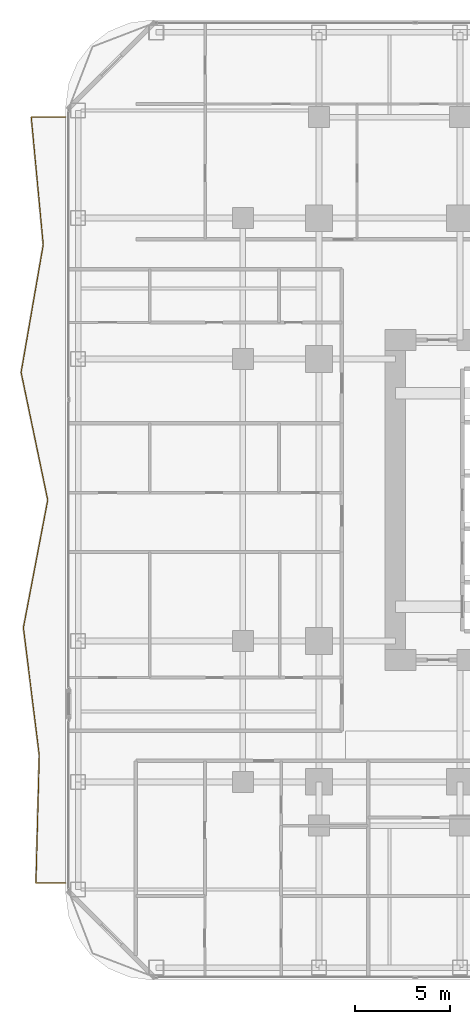
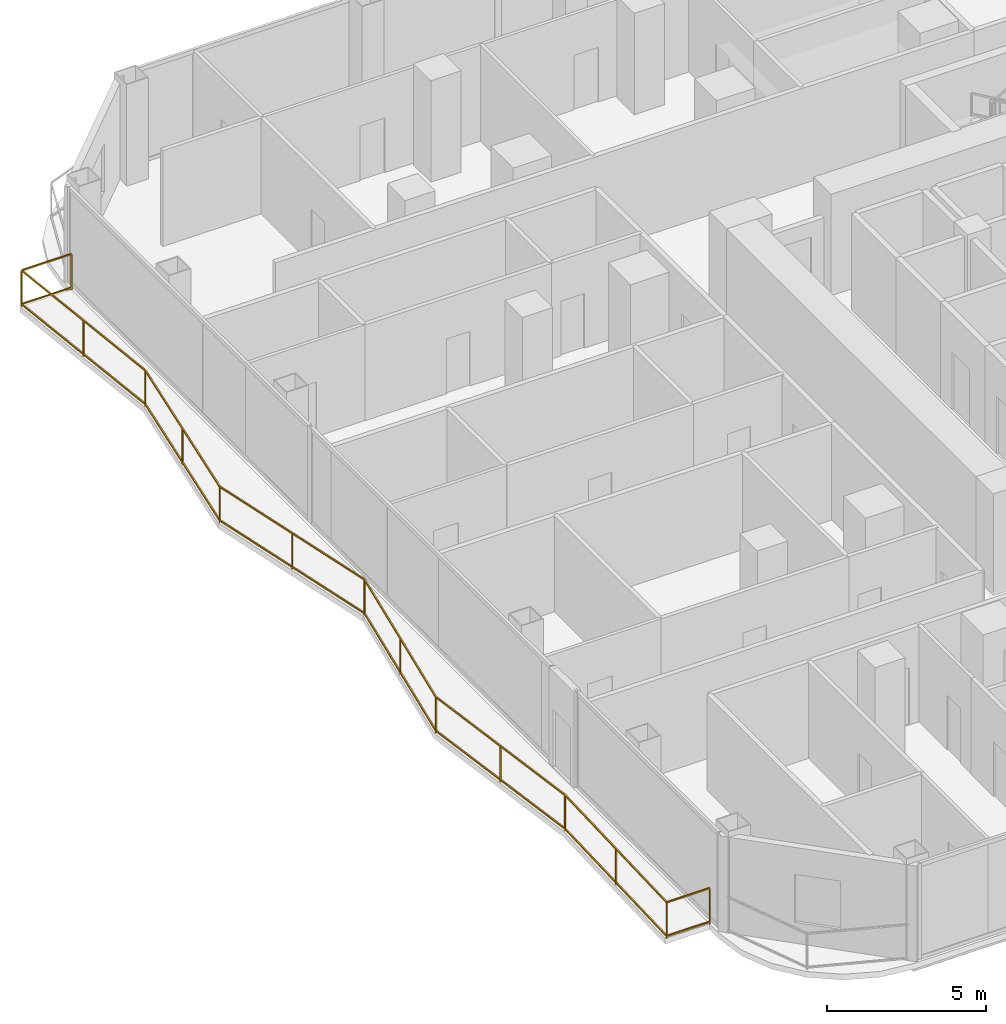
# One storey, part 26 of 29: 1 railing.
"""IFC4 building model written with IfcOpenShell, lengths in metres."""

from ifc_helpers import new_model, si_unit, direction, frame, origin, origin_2d, place, context, subcontext, project, spatial, rectangle, extrude, material, type_object, element, save


model = new_model("IFC4")

# Units and contexts
model_context = context("Model", 3, precision=1e-05, world=origin(), true_north=direction((0.0, 1.0)))
body_context = subcontext(model_context, "Body", "Model", "MODEL_VIEW")
ifc_project = project(units=[si_unit("LENGTHUNIT", "METRE"), si_unit("AREAUNIT", "SQUARE_METRE"), si_unit("VOLUMEUNIT", "CUBIC_METRE"), si_unit("PLANEANGLEUNIT", "RADIAN"), si_unit("MASSUNIT", "GRAM", prefix="KILO")], contexts=[model_context])

# Site, building, storey
site_placement = place(None, origin())
site = spatial("IfcSite", under=ifc_project, at=site_placement, CompositionType="ELEMENT")
building_placement = place(site_placement, origin())
building = spatial("IfcBuilding", under=site, at=building_placement, Name="Khorvyn Point Tower", CompositionType="ELEMENT")
storey_placement = place(building_placement, frame((0.0, 0.0, 61.800048828125)))
storey = spatial("IfcBuildingStorey", under=building, at=storey_placement, Name="L16", CompositionType="ELEMENT", Elevation=61.800048828125)

# Railing
ifc_material = material(Name="Anodised aluminium 6063-T6 and laminated safety glass", Category="aluminium")
railing_type = type_object("IfcRailingType", Name="Laminated Glass and Aluminium Balcony Guardrail 1400", PredefinedType="BALUSTRADE", material=ifc_material)
railing_placement = place(storey_placement, frame((-28.10009765625, 20.10009765625, 0.0)))
element("IfcRailing", 1, at=railing_placement, inside=storey, type_object=railing_type, Name="L16 West Balcony Guardrail", PredefinedType="BALUSTRADE", context=body_context, shape_type="SweptSolid", body=[
    extrude(rectangle(XDim=0.048095703125, YDim=0.048095703125, at=origin_2d()), frame((0.0, 0.0, 1.3759765625), z_axis=(-1.0, 0.0, 0.0), x_axis=(0.0, -1.0, 0.0)), (0.0, 0.0, 1.0), 1.80810546875),
    extrude(rectangle(XDim=0.048095703125, YDim=0.048095703125, at=origin_2d()), frame((0.0, 0.0, 0.080078125), z_axis=(-1.0, 0.0, 0.0), x_axis=(0.0, -1.0, 0.0)), (0.0, 0.0, 1.0), 1.80810546875),
    extrude(rectangle(XDim=0.048095703125, YDim=0.048095703125, at=origin_2d()), frame((-1.80810546875, 0.0, 1.3759765625), z_axis=(0.093417128562, -0.995627058738, 0.0), x_axis=(0.995627058738, 0.093417128562, 0.0)), (0.0, 0.0, 1.0), 6.729736328125),
    extrude(rectangle(XDim=0.048095703125, YDim=0.048095703125, at=origin_2d()), frame((-1.80810546875, 0.0, 0.080078125), z_axis=(0.093417128562, -0.995627058738, 0.0), x_axis=(0.995627058738, 0.093417128562, 0.0)), (0.0, 0.0, 1.0), 6.729736328125),
    extrude(rectangle(XDim=0.048095703125, YDim=0.048095703125, at=origin_2d()), frame((-1.179443359375, -6.7001953125, 1.3759765625), z_axis=(-0.170794159587, -0.985306731455, 0.0), x_axis=(0.985306731455, -0.170794159587, 0.0)), (0.0, 0.0, 1.0), 6.7998046875),
    extrude(rectangle(XDim=0.048095703125, YDim=0.048095703125, at=origin_2d()), frame((-1.179443359375, -6.7001953125, 0.080078125), z_axis=(-0.170794159587, -0.985306731455, 0.0), x_axis=(0.985306731455, -0.170794159587, 0.0)), (0.0, 0.0, 1.0), 6.7998046875),
    extrude(rectangle(XDim=0.048095703125, YDim=0.048095703125, at=origin_2d()), frame((-2.3408203125, -13.400146484375, 1.3759765625), z_axis=(0.204251957778, -0.978918350908, 0.0), x_axis=(0.978918350908, 0.204251957778, 0.0)), (0.0, 0.0, 1.0), 6.84423828125),
    extrude(rectangle(XDim=0.048095703125, YDim=0.048095703125, at=origin_2d()), frame((-2.3408203125, -13.400146484375, 0.080078125), z_axis=(0.204251957778, -0.978918350908, 0.0), x_axis=(0.978918350908, 0.204251957778, 0.0)), (0.0, 0.0, 1.0), 6.84423828125),
    extrude(rectangle(XDim=0.048095703125, YDim=0.048095703125, at=origin_2d()), frame((-0.94287109375, -20.10009765625, 1.3759765625), z_axis=(-0.187345664161, -0.98229405074, 0.0), x_axis=(0.98229405074, -0.187345664161, 0.0)), (0.0, 0.0, 1.0), 6.82080078125),
    extrude(rectangle(XDim=0.048095703125, YDim=0.048095703125, at=origin_2d()), frame((-0.94287109375, -20.10009765625, 0.080078125), z_axis=(-0.187345664161, -0.98229405074, 0.0), x_axis=(0.98229405074, -0.187345664161, 0.0)), (0.0, 0.0, 1.0), 6.82080078125),
    extrude(rectangle(XDim=0.048095703125, YDim=0.048095703125, at=origin_2d()), frame((-2.220703125, -26.800048828125, 1.3759765625), z_axis=(0.123238031284, -0.992377139824, 0.0), x_axis=(0.992377139824, 0.123238031284, 0.0)), (0.0, 0.0, 1.0), 6.75146484375),
    extrude(rectangle(XDim=0.048095703125, YDim=0.048095703125, at=origin_2d()), frame((-2.220703125, -26.800048828125, 0.080078125), z_axis=(0.123238031284, -0.992377139824, 0.0), x_axis=(0.992377139824, 0.123238031284, 0.0)), (0.0, 0.0, 1.0), 6.75146484375),
    extrude(rectangle(XDim=0.048095703125, YDim=0.048095703125, at=origin_2d()), frame((-1.388671875, -33.5, 1.3759765625), z_axis=(-0.025971414337, -0.999662685928, 0.0), x_axis=(0.999662685928, -0.025971414337, 0.0)), (0.0, 0.0, 1.0), 6.702392578125),
    extrude(rectangle(XDim=0.048095703125, YDim=0.048095703125, at=origin_2d()), frame((-1.388671875, -33.5, 0.080078125), z_axis=(-0.025971414337, -0.999662685928, 0.0), x_axis=(0.999662685928, -0.025971414337, 0.0)), (0.0, 0.0, 1.0), 6.702392578125),
    extrude(rectangle(XDim=0.048095703125, YDim=0.048095703125, at=origin_2d()), frame((-1.562744140625, -40.2001953125, 1.3759765625), z_axis=(1.0, 0.0, 0.0), x_axis=(0.0, 1.0, 0.0)), (0.0, 0.0, 1.0), 1.562744140625),
    extrude(rectangle(XDim=0.048095703125, YDim=0.048095703125, at=origin_2d()), frame((-1.562744140625, -40.2001953125, 0.080078125), z_axis=(1.0, 0.0, 0.0), x_axis=(0.0, 1.0, 0.0)), (0.0, 0.0, 1.0), 1.562744140625),
    extrude(rectangle(XDim=0.0419921875, YDim=0.0419921875, at=origin_2d()), origin(), (0.0, 0.0, 1.0), 1.351806640625),
    extrude(rectangle(XDim=0.0419921875, YDim=0.0419921875, at=origin_2d()), frame((-1.80810546875, 0.0, 0.0)), (0.0, 0.0, 1.0), 1.351806640625),
    extrude(rectangle(XDim=0.0419921875, YDim=0.0419921875, at=origin_2d()), frame((-1.49365234375, -3.35009765625, 0.0)), (0.0, 0.0, 1.0), 1.351806640625),
    extrude(rectangle(XDim=0.0419921875, YDim=0.0419921875, at=origin_2d()), frame((-1.179443359375, -6.7001953125, 0.0)), (0.0, 0.0, 1.0), 1.351806640625),
    extrude(rectangle(XDim=0.0419921875, YDim=0.0419921875, at=origin_2d()), frame((-1.76025390625, -10.05029296875, 0.0)), (0.0, 0.0, 1.0), 1.351806640625),
    extrude(rectangle(XDim=0.0419921875, YDim=0.0419921875, at=origin_2d()), frame((-2.3408203125, -13.400146484375, 0.0)), (0.0, 0.0, 1.0), 1.351806640625),
    extrude(rectangle(XDim=0.0419921875, YDim=0.0419921875, at=origin_2d()), frame((-1.641845703125, -16.75, 0.0)), (0.0, 0.0, 1.0), 1.351806640625),
    extrude(rectangle(XDim=0.0419921875, YDim=0.0419921875, at=origin_2d()), frame((-0.94287109375, -20.10009765625, 0.0)), (0.0, 0.0, 1.0), 1.351806640625),
    extrude(rectangle(XDim=0.0419921875, YDim=0.0419921875, at=origin_2d()), frame((-1.581787109375, -23.4501953125, 0.0)), (0.0, 0.0, 1.0), 1.351806640625),
    extrude(rectangle(XDim=0.0419921875, YDim=0.0419921875, at=origin_2d()), frame((-2.220703125, -26.800048828125, 0.0)), (0.0, 0.0, 1.0), 1.351806640625),
    extrude(rectangle(XDim=0.0419921875, YDim=0.0419921875, at=origin_2d()), frame((-1.8046875, -30.14990234375, 0.0)), (0.0, 0.0, 1.0), 1.351806640625),
    extrude(rectangle(XDim=0.0419921875, YDim=0.0419921875, at=origin_2d()), frame((-1.388671875, -33.5, 0.0)), (0.0, 0.0, 1.0), 1.351806640625),
    extrude(rectangle(XDim=0.0419921875, YDim=0.0419921875, at=origin_2d()), frame((-1.4755859375, -36.85009765625, 0.0)), (0.0, 0.0, 1.0), 1.351806640625),
    extrude(rectangle(XDim=0.0419921875, YDim=0.0419921875, at=origin_2d()), frame((-1.562744140625, -40.2001953125, 0.0)), (0.0, 0.0, 1.0), 1.351806640625),
    extrude(rectangle(XDim=0.0419921875, YDim=0.0419921875, at=origin_2d()), frame((0.0, -40.2001953125, 0.0)), (0.0, 0.0, 1.0), 1.351806640625),
])

save(model, "model.ifc")
